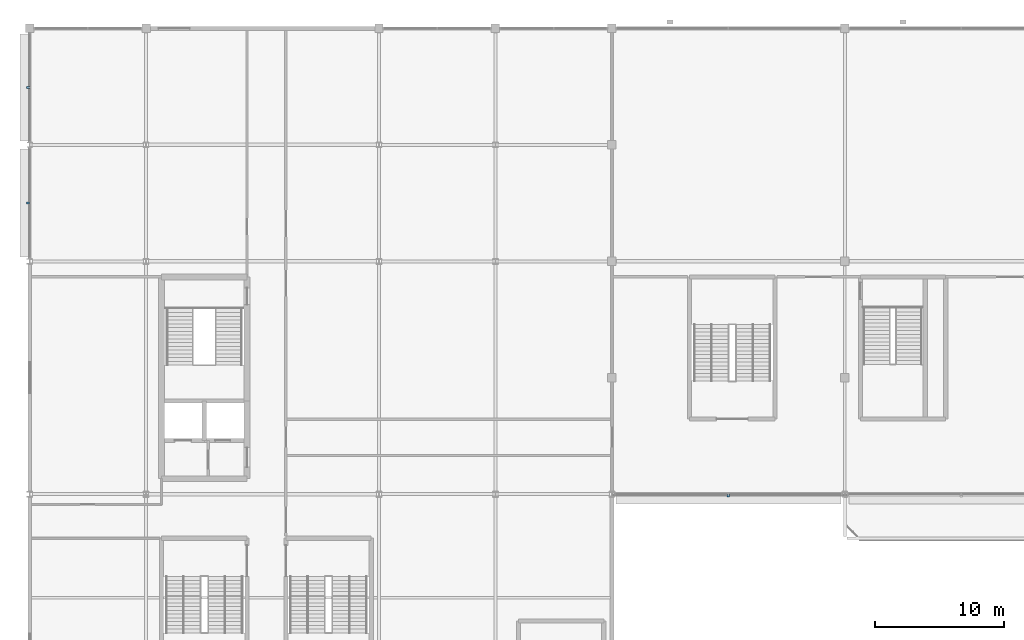
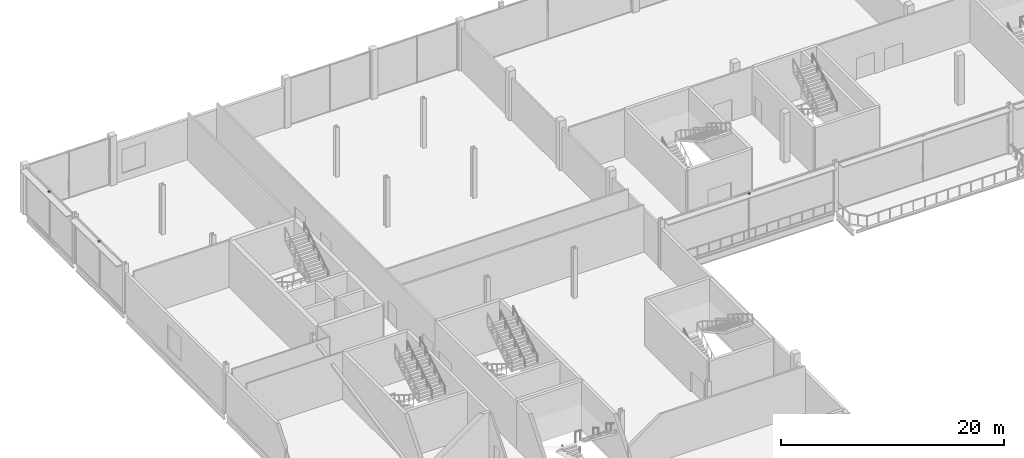
# One storey, part 76 of 113: 3 discrete accessories.
"""IFC4 building model written with IfcOpenShell, lengths in metres."""

from ifc_helpers import new_model, si_unit, direction, frame, origin, origin_2d, place, context, subcontext, project, spatial, rectangle, extrude, material, type_object, element, save


model = new_model("IFC4")

# Units and contexts
model_context = context("Model", 3, precision=1e-05, world=origin(), true_north=direction((0.0, 1.0)))
body_context = subcontext(model_context, "Body", "Model", "MODEL_VIEW")
ifc_project = project(units=[si_unit("LENGTHUNIT", "METRE"), si_unit("AREAUNIT", "SQUARE_METRE"), si_unit("VOLUMEUNIT", "CUBIC_METRE"), si_unit("PLANEANGLEUNIT", "RADIAN"), si_unit("MASSUNIT", "GRAM", prefix="KILO")], contexts=[model_context])

# Site, building, storey
site_placement = place(None, origin())
site = spatial("IfcSite", under=ifc_project, at=site_placement, CompositionType="ELEMENT")
building_placement = place(site_placement, origin())
building = spatial("IfcBuilding", under=site, at=building_placement, Name="Kisiwana Market Hall", CompositionType="ELEMENT")
storey_placement = place(building_placement, frame((0.0, 0.0, 6.0)))
storey = spatial("IfcBuildingStorey", under=building, at=storey_placement, Name="L01", CompositionType="ELEMENT", Elevation=6.0)

# Discrete accessories
ifc_material = material(Name="Steel S355", Category="steel")
discrete_accessory_type = type_object("IfcDiscreteAccessoryType", Name="ACC-BRACKET-STL", PredefinedType="BRACKET", material=ifc_material)
for number, where, z_axis, x_axis, name in (
    (1, (54.0, 83.889892578125, 4.93994140625), (0.0, 0.0, 1.0), (1.0, 0.0, 0.0), "Sunshade steel bracket BRK-017"),
    (2, (-0.110107421875, 106.507080078125, 4.93994140625), (0.0, 0.0, 1.0), (0.0, 1.0, 0.0), "Sunshade steel bracket BRK-027"),
    (3, (-0.110107421875, 115.439208984375, 4.93994140625), (0.0, 0.0, 1.0), (0.0, 1.0, 0.0), "Sunshade steel bracket BRK-028"),
):
    element("IfcDiscreteAccessory", number, at=place(storey_placement, frame(where, z_axis=z_axis, x_axis=x_axis)), inside=storey, type_object=discrete_accessory_type, Name=name, PredefinedType="BRACKET", context=body_context, shape_type="SweptSolid", body=[
        extrude(rectangle(XDim=0.179931640625, YDim=0.239990234375, at=origin_2d()), origin(), (0.0, 0.0, 1.0), 0.179931640625),
    ])

save(model, "model.ifc")
